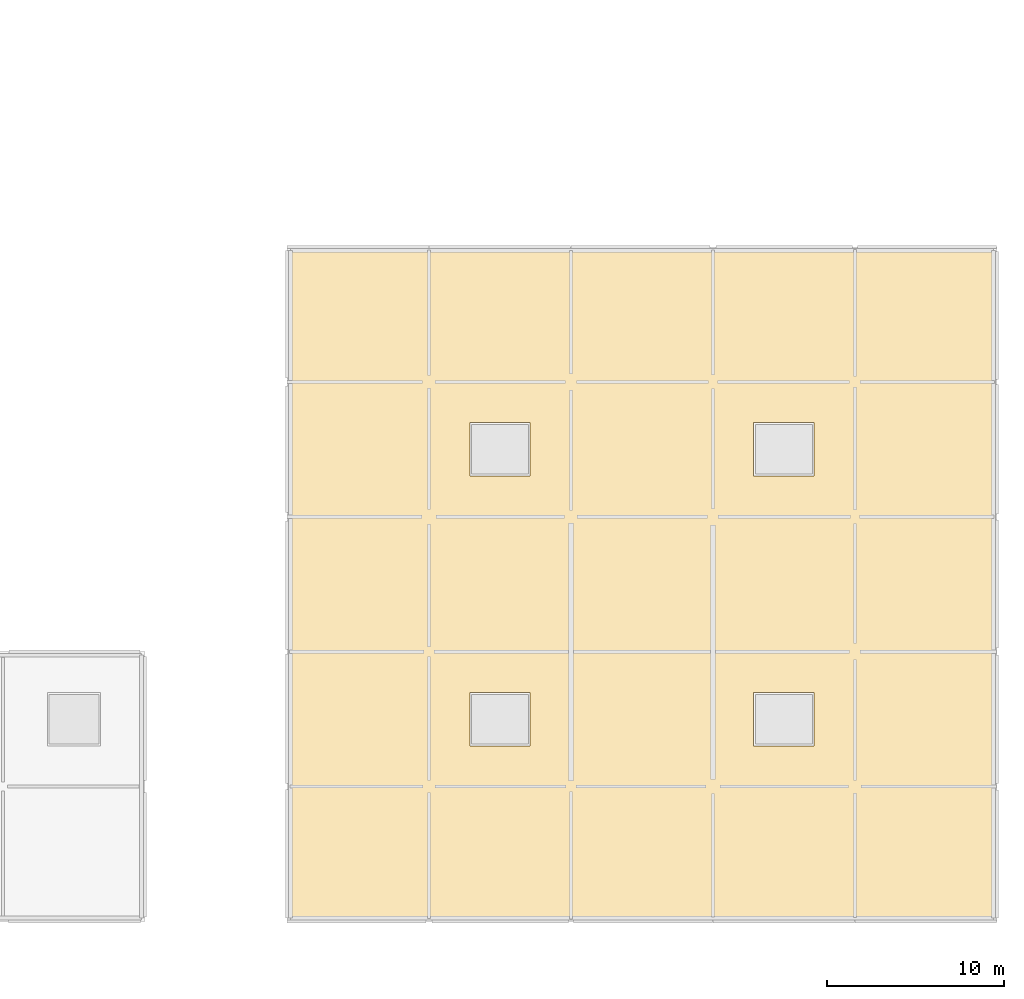
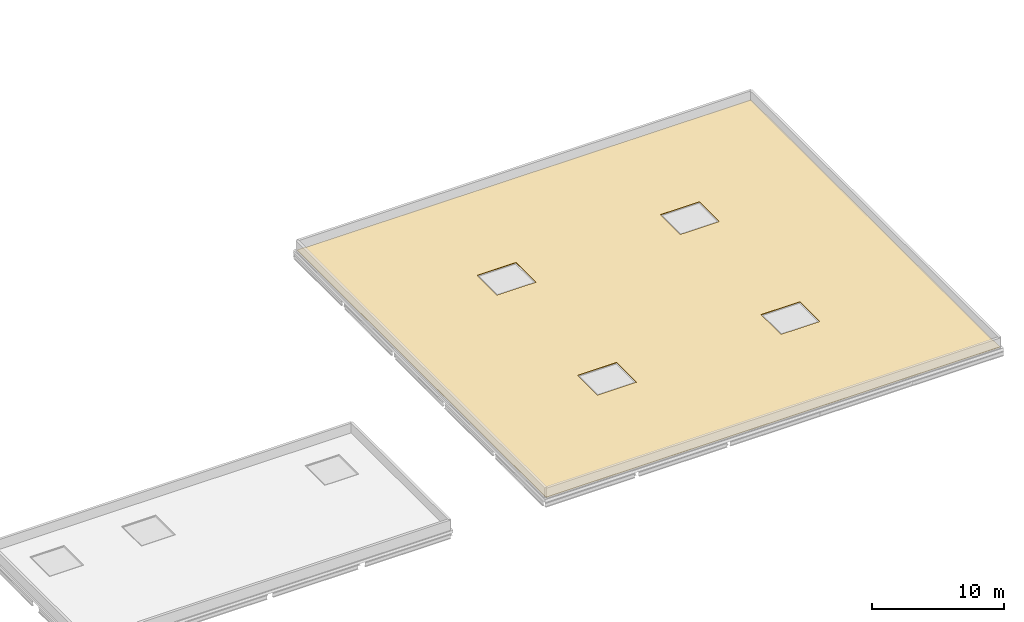
# One storey, part 44 of 46: 1 covering.
"""IFC4 building model written with IfcOpenShell, lengths in metres."""

from ifc_helpers import new_model, si_unit, direction, frame, origin, place, context, subcontext, project, spatial, polyline, outline, extrude, material, layer, layer_set, type_object, element, save


model = new_model("IFC4")

# Units and contexts
model_context = context("Model", 3, precision=1e-05, world=origin(), true_north=direction((0.0, 1.0)))
body_context = subcontext(model_context, "Body", "Model", "MODEL_VIEW")
ifc_project = project(units=[si_unit("LENGTHUNIT", "METRE"), si_unit("AREAUNIT", "SQUARE_METRE"), si_unit("VOLUMEUNIT", "CUBIC_METRE"), si_unit("PLANEANGLEUNIT", "RADIAN"), si_unit("MASSUNIT", "GRAM", prefix="KILO")], contexts=[model_context])

# Site, building, storey
site_placement = place(None, origin())
site = spatial("IfcSite", under=ifc_project, at=site_placement, CompositionType="ELEMENT")
building_placement = place(site_placement, origin())
building = spatial("IfcBuilding", under=site, at=building_placement, Name="Khelvaren Railside Concert Hall", CompositionType="ELEMENT")
storey_placement = place(building_placement, frame((0.0, 0.0, 19.800048828125)))
storey = spatial("IfcBuildingStorey", under=building, at=storey_placement, Name="L04", CompositionType="ELEMENT", Elevation=19.800048828125)

# Covering
ifc_material = material(Name="Standing-seam acoustic zinc and waterproof membrane", Category="steel")
ifc_layer = layer(ifc_material, 0.050048828125)
ifc_layer_set = layer_set([ifc_layer], Name="Standing-seam acoustic zinc and waterproof membrane")
covering_type = type_object("IfcCoveringType", Name="RFG46", PredefinedType="ROOFING", material=ifc_layer_set)
covering_placement = place(storey_placement, origin())
element("IfcCovering", 1, at=covering_placement, inside=storey, type_object=covering_type, Name="Acoustic Standing-Seam Roofing V2-L04", PredefinedType="ROOFING", context=body_context, shape_type="SweptSolid", body=[
    extrude(outline(polyline([(144.199951171875, 0.199951171875), (183.800048828125, 0.199951171875), (183.800048828125, 37.800048828125), (144.199951171875, 37.800048828125), (144.199951171875, 0.199951171875)]), holes=[polyline([(154.300048828125, 9.89990234375), (157.699951171875, 9.89990234375), (157.699951171875, 12.89990234375), (154.300048828125, 12.89990234375), (154.300048828125, 9.89990234375)]), polyline([(170.300048828125, 9.89990234375), (173.699951171875, 9.89990234375), (173.699951171875, 12.89990234375), (170.300048828125, 12.89990234375), (170.300048828125, 9.89990234375)]), polyline([(154.300048828125, 25.10009765625), (157.699951171875, 25.10009765625), (157.699951171875, 28.10009765625), (154.300048828125, 28.10009765625), (154.300048828125, 25.10009765625)]), polyline([(170.300048828125, 25.10009765625), (173.699951171875, 25.10009765625), (173.699951171875, 28.10009765625), (170.300048828125, 28.10009765625), (170.300048828125, 25.10009765625)])]), origin(), (0.0, 0.0, 1.0), 0.050048828125),
])

save(model, "model.ifc")
